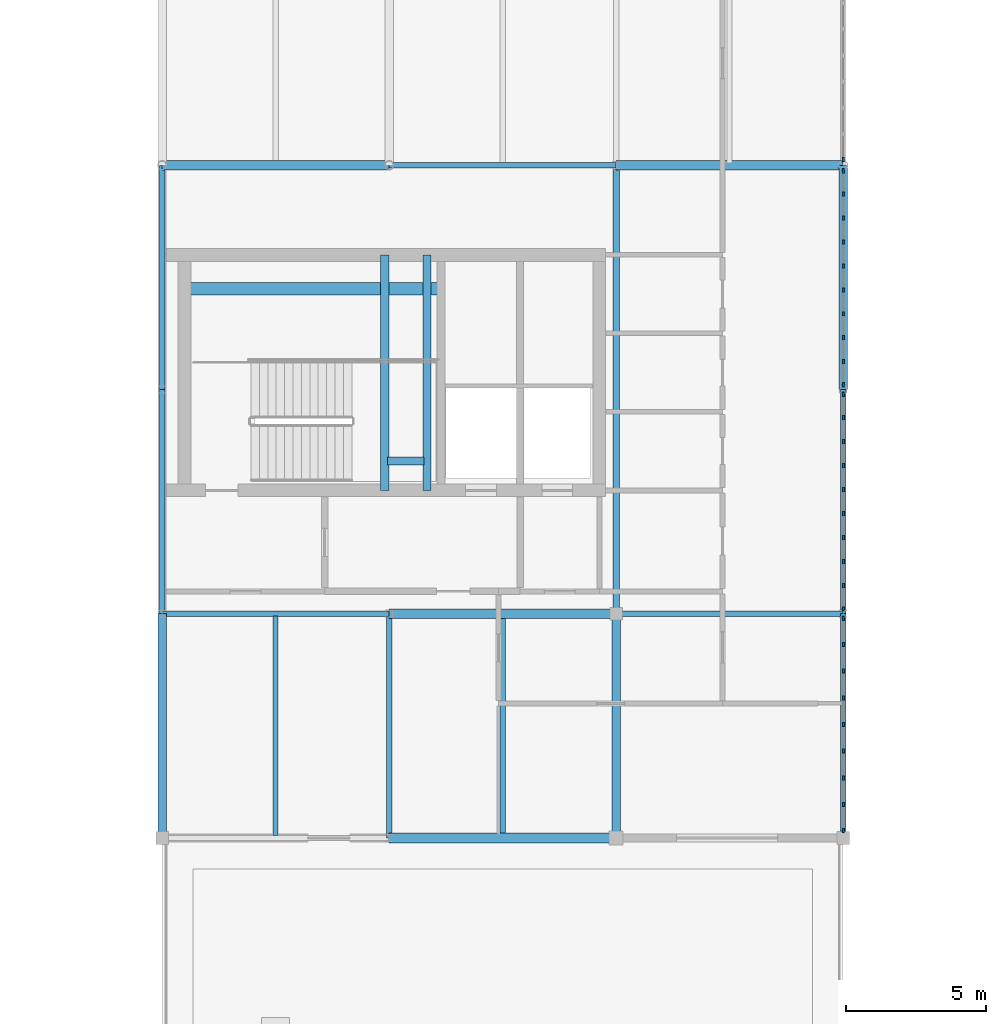
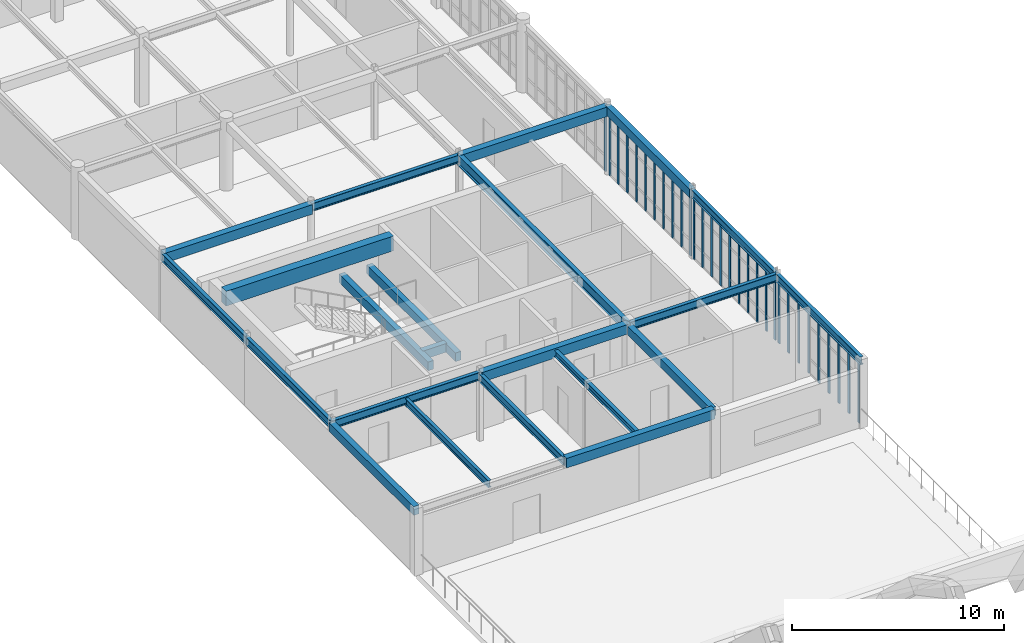
# One storey, part 7 of 36: 30 members, 22 beams, 4 elements without a shape of their own.
"""IFC4 building model written with IfcOpenShell, lengths in metres."""

from ifc_helpers import new_model, si_unit, direction, frame, origin, origin_2d, place, context, subcontext, project, spatial, rectangle, i_section, extrude, material, material_profile, profile_set, type_object, element, aggregate, save


model = new_model("IFC4")

# Units and contexts
model_context = context("Model", 3, precision=1e-05, world=origin(), true_north=direction((0.0, 1.0)))
body_context = subcontext(model_context, "Body", "Model", "MODEL_VIEW")
ifc_project = project(units=[si_unit("LENGTHUNIT", "METRE"), si_unit("AREAUNIT", "SQUARE_METRE"), si_unit("VOLUMEUNIT", "CUBIC_METRE"), si_unit("PLANEANGLEUNIT", "RADIAN"), si_unit("MASSUNIT", "GRAM", prefix="KILO")], contexts=[model_context])

# Site, building, storey
site_placement = place(None, origin())
site = spatial("IfcSite", under=ifc_project, at=site_placement, CompositionType="ELEMENT")
building_placement = place(site_placement, origin())
building = spatial("IfcBuilding", under=site, at=building_placement, Name="Tarnveldt Square Police Headquarters", CompositionType="ELEMENT")
storey_placement = place(building_placement, frame((0.0, 0.0, 24.89990234375)))
storey = spatial("IfcBuildingStorey", under=building, at=storey_placement, Name="L05", CompositionType="ELEMENT", Elevation=24.89990234375)

# Beams
ifc_material_1 = material(Name="Concrete 50 MPa", Category="concrete")
ifc_material_profile_1 = material_profile(ifc_material_1, rectangle(XDim=0.449951171875, YDim=0.85009765625, at=origin_2d()), Name="RC-CB450x850")
ifc_profile_set_1 = profile_set([ifc_material_profile_1], Name="Concrete 50 MPa")
beam_type_1 = type_object("IfcBeamType", Name="BM-CB450x850", PredefinedType="BEAM", material=ifc_profile_set_1)
beam_1_placement = place(storey_placement, frame((17.0, 67.60009765625, 3.775146484375), z_axis=(1.0, 0.0, 0.0), x_axis=(0.0, 1.0, 0.0)))
element("IfcBeam", 1, at=beam_1_placement, inside=storey, type_object=beam_type_1, Name="Core K1 South-West Command and Firefighting Core L05 Ductile Coupling Beam", PredefinedType="BEAM", context=body_context, shape_type="SweptSolid", body=[
    extrude(rectangle(XDim=0.449951171875, YDim=0.85009765625, at=origin_2d()), origin(), (0.0, 0.0, 1.0), 9.14990234375),
])
ifc_material_2 = material(Name="Concrete 40 MPa", Category="concrete")
ifc_material_profile_2 = material_profile(ifc_material_2, rectangle(XDim=0.300048828125, YDim=0.5, at=origin_2d()), Name="RC-B300x500")
ifc_profile_set_2 = profile_set([ifc_material_profile_2], Name="Concrete 40 MPa")
beam_type_2 = type_object("IfcBeamType", Name="BM-RC300x500", PredefinedType="BEAM", material=ifc_profile_set_2)
beam_2_placement = place(storey_placement, frame((24.14990234375, 60.39990234375, 1.650146484375), z_axis=(0.0, 1.0, 0.0), x_axis=(-1.0, 0.0, 0.0)))
element("IfcBeam", 2, at=beam_2_placement, inside=storey, type_object=beam_type_2, Name="ST1 L05 Half-Landing Support Beam 1", PredefinedType="BEAM", context=body_context, shape_type="SweptSolid", body=[
    extrude(rectangle(XDim=0.300048828125, YDim=0.5, at=origin_2d()), origin(), (0.0, 0.0, 1.0), 8.400146484375),
])
beam_3_placement = place(storey_placement, frame((24.25, 61.449951171875, 1.650146484375), z_axis=(1.0, 0.0, 0.0), x_axis=(0.0, 1.0, 0.0)))
element("IfcBeam", 3, at=beam_3_placement, inside=storey, type_object=beam_type_2, Name="ST1 L05 Half-Landing Support Beam 2", PredefinedType="BEAM", context=body_context, shape_type="SweptSolid", body=[
    extrude(rectangle(XDim=0.300048828125, YDim=0.5, at=origin_2d()), origin(), (0.0, 0.0, 1.0), 1.300048828125),
])
beam_4_placement = place(storey_placement, frame((25.64990234375, 60.39990234375, 1.650146484375), z_axis=(0.0, 1.0, 0.0), x_axis=(-1.0, 0.0, 0.0)))
element("IfcBeam", 4, at=beam_4_placement, inside=storey, type_object=beam_type_2, Name="ST1 L05 Half-Landing Transverse Support Beam", PredefinedType="BEAM", context=body_context, shape_type="SweptSolid", body=[
    extrude(rectangle(XDim=0.300048828125, YDim=0.5, at=origin_2d()), origin(), (0.0, 0.0, 1.0), 8.400146484375),
])
for number, where, z_axis, x_axis, name in (
    (5, (16.199951171875, 48.0, 3.610107421875), (0.0, 1.0, 0.0), (-1.0, 0.0, 0.0), "L06 Grid Girder Y-1045"),
    (6, (32.39990234375, 48.0, 3.610107421875), (0.0, 1.0, 0.0), (-1.0, 0.0, 0.0), "L06 Grid Girder Y-1057"),
    (7, (40.5, 64.0, 3.710205078125), (0.0, 1.0, 0.0), (-1.0, 0.0, 0.0), "L06 Grid Girder Y-1066"),
):
    element("IfcBeam", number, at=place(storey_placement, frame(where, z_axis=z_axis, x_axis=x_axis)), inside=storey, type_object=beam_type_2, Name=name, PredefinedType="BEAM", context=body_context, shape_type="SweptSolid", body=[
        extrude(rectangle(XDim=0.300048828125, YDim=0.5, at=origin_2d()), origin(), (0.0, 0.0, 1.0), 8.0),
    ])
ifc_material_profile_3 = material_profile(ifc_material_2, rectangle(XDim=0.35009765625, YDim=0.550048828125, at=origin_2d()), Name="RC-B350x550")
ifc_profile_set_3 = profile_set([ifc_material_profile_3], Name="Concrete 40 MPa")
beam_type_3 = type_object("IfcBeamType", Name="BM-RC350x550", PredefinedType="BEAM", material=ifc_profile_set_3)
for number, where, z_axis, x_axis, name in (
    (8, (24.300048828125, 48.0, 3.585205078125), (1.0, 0.0, 0.0), (0.0, 1.0, 0.0), "L06 Grid Girder X-1010"),
    (9, (24.300048828125, 56.0, 3.68505859375), (1.0, 0.0, 0.0), (0.0, 1.0, 0.0), "L06 Grid Girder X-1012"),
):
    element("IfcBeam", number, at=place(storey_placement, frame(where, z_axis=z_axis, x_axis=x_axis)), inside=storey, type_object=beam_type_3, Name=name, PredefinedType="BEAM", context=body_context, shape_type="SweptSolid", body=[
        extrude(rectangle(XDim=0.35009765625, YDim=0.550048828125, at=origin_2d()), origin(), (0.0, 0.0, 1.0), 8.099853515625),
    ])
for number, where, z_axis, x_axis, name in (
    (10, (16.199951171875, 72.0, 3.68505859375), (1.0, 0.0, 0.0), (0.0, 1.0, 0.0), "L06 Grid Girder X-1014"),
    (11, (32.39990234375, 72.0, 3.68505859375), (1.0, 0.0, 0.0), (0.0, 1.0, 0.0), "L06 Grid Girder X-1016"),
):
    element("IfcBeam", number, at=place(storey_placement, frame(where, z_axis=z_axis, x_axis=x_axis)), inside=storey, type_object=beam_type_3, Name=name, PredefinedType="BEAM", context=body_context, shape_type="SweptSolid", body=[
        extrude(rectangle(XDim=0.35009765625, YDim=0.550048828125, at=origin_2d()), origin(), (0.0, 0.0, 1.0), 8.10009765625),
    ])
ifc_material_3 = material(Name="Steel 350W", Category="steel")
ifc_material_profile_4 = material_profile(ifc_material_3, i_section(OverallWidth=0.205078125, OverallDepth=0.35400390625, WebThickness=0.009521484375, FlangeThickness=0.016845703125, FilletRadius=0.01611328125, at=origin_2d()), Name="W360x79")
ifc_profile_set_4 = profile_set([ifc_material_profile_4], Name="Steel 350W")
beam_type_4 = type_object("IfcBeamType", Name="BM-W360x79", PredefinedType="JOIST", material=ifc_profile_set_4)
beam_5_placement = place(storey_placement, frame((28.35009765625, 48.080078125, 3.68310546875), z_axis=(0.0, 1.0, 0.0), x_axis=(-1.0, 0.0, 0.0)))
element("IfcBeam", 12, at=beam_5_placement, inside=storey, type_object=beam_type_4, Name="L06 Secondary Floor Joist 0238", PredefinedType="JOIST", context=body_context, shape_type="SweptSolid", body=[
    extrude(i_section(OverallWidth=0.205078125, OverallDepth=0.35400390625, WebThickness=0.009521484375, FlangeThickness=0.016845703125, FilletRadius=0.01611328125, at=origin_2d()), origin(), (0.0, 0.0, 1.0), 7.83984375),
])
ifc_material_profile_5 = material_profile(ifc_material_3, i_section(OverallWidth=0.177978515625, OverallDepth=0.406982421875, WebThickness=0.0078125, FlangeThickness=0.0126953125, FilletRadius=0.01611328125, at=origin_2d()), Name="W410x60")
ifc_profile_set_5 = profile_set([ifc_material_profile_5], Name="Steel 350W")
beam_type_5 = type_object("IfcBeamType", Name="BM-W410x60", PredefinedType="JOIST", material=ifc_profile_set_5)
beam_6_placement = place(storey_placement, frame((20.25, 48.080078125, 3.656494140625), z_axis=(0.0, 1.0, 0.0), x_axis=(-1.0, 0.0, 0.0)))
element("IfcBeam", 13, at=beam_6_placement, inside=storey, type_object=beam_type_5, Name="L06 Secondary Floor Joist 0237", PredefinedType="JOIST", context=body_context, shape_type="SweptSolid", body=[
    extrude(i_section(OverallWidth=0.177978515625, OverallDepth=0.406982421875, WebThickness=0.0078125, FlangeThickness=0.0126953125, FilletRadius=0.01611328125, at=origin_2d()), origin(), (0.0, 0.0, 1.0), 7.83984375),
])
ifc_material_profile_6 = material_profile(ifc_material_3, i_section(OverallWidth=0.19189453125, OverallDepth=0.462890625, WebThickness=0.010498046875, FlangeThickness=0.017578125, FilletRadius=0.01806640625, at=origin_2d()), Name="W460x89")
ifc_profile_set_6 = profile_set([ifc_material_profile_6], Name="Steel 350W")
beam_type_6 = type_object("IfcBeamType", Name="BM-W460x89", PredefinedType="BEAM", material=ifc_profile_set_6)
for number, where, z_axis, x_axis, name in (
    (14, (16.199951171875, 56.0, 3.728515625), (1.0, 0.0, 0.0), (0.0, 1.0, 0.0), "L06 Grid Girder X-1011"),
    (15, (32.39990234375, 56.0, 3.728515625), (1.0, 0.0, 0.0), (0.0, 1.0, 0.0), "L06 Grid Girder X-1013"),
):
    element("IfcBeam", number, at=place(storey_placement, frame(where, z_axis=z_axis, x_axis=x_axis)), inside=storey, type_object=beam_type_6, Name=name, PredefinedType="BEAM", context=body_context, shape_type="SweptSolid", body=[
        extrude(i_section(OverallWidth=0.19189453125, OverallDepth=0.462890625, WebThickness=0.010498046875, FlangeThickness=0.017578125, FilletRadius=0.01806640625, at=origin_2d()), origin(), (0.0, 0.0, 1.0), 8.10009765625),
    ])
beam_7_placement = place(storey_placement, frame((24.300048828125, 72.0, 3.728515625), z_axis=(1.0, 0.0, 0.0), x_axis=(0.0, 1.0, 0.0)))
element("IfcBeam", 16, at=beam_7_placement, inside=storey, type_object=beam_type_6, Name="L06 Grid Girder X-1015", PredefinedType="BEAM", context=body_context, shape_type="SweptSolid", body=[
    extrude(i_section(OverallWidth=0.19189453125, OverallDepth=0.462890625, WebThickness=0.010498046875, FlangeThickness=0.017578125, FilletRadius=0.01806640625, at=origin_2d()), origin(), (0.0, 0.0, 1.0), 8.099853515625),
])
for number, where, z_axis, x_axis, name in (
    (17, (16.199951171875, 56.0, 3.728515625), (0.0, 1.0, 0.0), (-1.0, 0.0, 0.0), "L06 Grid Girder Y-1046"),
    (18, (16.199951171875, 64.0, 3.728515625), (0.0, 1.0, 0.0), (-1.0, 0.0, 0.0), "L06 Grid Girder Y-1047"),
    (19, (24.300048828125, 48.0, 3.628662109375), (0.0, 1.0, 0.0), (-1.0, 0.0, 0.0), "L06 Grid Girder Y-1053"),
    (20, (40.5, 48.0, 3.728515625), (0.0, 1.0, 0.0), (-1.0, 0.0, 0.0), "L06 Grid Girder Y-1064"),
    (21, (40.5, 56.0, 3.728515625), (0.0, 1.0, 0.0), (-1.0, 0.0, 0.0), "L06 Grid Girder Y-1065"),
):
    element("IfcBeam", number, at=place(storey_placement, frame(where, z_axis=z_axis, x_axis=x_axis)), inside=storey, type_object=beam_type_6, Name=name, PredefinedType="BEAM", context=body_context, shape_type="SweptSolid", body=[
        extrude(i_section(OverallWidth=0.19189453125, OverallDepth=0.462890625, WebThickness=0.010498046875, FlangeThickness=0.017578125, FilletRadius=0.01806640625, at=origin_2d()), origin(), (0.0, 0.0, 1.0), 8.0),
    ])
ifc_material_profile_7 = material_profile(ifc_material_3, i_section(OverallWidth=0.22900390625, OverallDepth=0.612060546875, WebThickness=0.011962890625, FlangeThickness=0.01953125, FilletRadius=0.01904296875, at=origin_2d()), Name="W610x125")
ifc_profile_set_7 = profile_set([ifc_material_profile_7], Name="Steel 350W")
beam_type_7 = type_object("IfcBeamType", Name="BM-W610x125", PredefinedType="BEAM", material=ifc_profile_set_7)
beam_8_placement = place(storey_placement, frame((32.39990234375, 56.0, 3.654052734375), z_axis=(0.0, 1.0, 0.0), x_axis=(-1.0, 0.0, 0.0)))
element("IfcBeam", 22, at=beam_8_placement, inside=storey, type_object=beam_type_7, Name="L06 Grid Girder Y-1058", PredefinedType="BEAM", context=body_context, shape_type="SweptSolid", body=[
    extrude(i_section(OverallWidth=0.22900390625, OverallDepth=0.612060546875, WebThickness=0.011962890625, FlangeThickness=0.01953125, FilletRadius=0.01904296875, at=origin_2d()), origin(), (0.0, 0.0, 1.0), 16.0),
])

# Curtain wall, members
ifc_material_4 = material(Name="Triple-glazed low-e laminated vision glass", Category="glass")
curtain_wall_type_1 = type_object("IfcCurtainWallType", Name="CW-UP-761x349", PredefinedType="USERDEFINED", material=ifc_material_4)
curtain_wall_1_placement = place(storey_placement, origin())
curtain_wall_1 = element("IfcCurtainWall", 23, at=curtain_wall_1_placement, inside=storey, type_object=curtain_wall_type_1, Name="L05 Curtain Wall CW-L05-083", ObjectType="GLAZED CURTAIN WALL", PredefinedType="USERDEFINED")
ifc_material_5 = material(Name="Thermally broken anodised aluminium 6063-T6", Category="aluminium")
ifc_material_profile_8 = material_profile(ifc_material_5, rectangle(XDim=0.06494140625, YDim=0.159912109375, at=origin_2d()), Name="CW-M65x160")
ifc_profile_set_8 = profile_set([ifc_material_profile_8], Name="Thermally broken anodised aluminium 6063-T6")
member_type = type_object("IfcMemberType", Name="CWM-65x160", PredefinedType="MULLION", material=ifc_profile_set_8)
member_1_placement = place(storey_placement, frame((40.5, 48.2724609375, 0.0), z_axis=(0.0, 0.0, 1.0), x_axis=(-1.0, 0.0, 0.0)))
member_1 = element("IfcMember", 24, at=member_1_placement, type_object=member_type, Name="CW-UP41 mullion 1", PredefinedType="MULLION", context=body_context, shape_type="SweptSolid", body=[
    extrude(rectangle(XDim=0.06494140625, YDim=0.159912109375, at=origin_2d()), origin(), (0.0, 0.0, 1.0), 3.489013671875),
])
member_2_placement = place(storey_placement, frame((40.5, 49.19189453125, 0.0), z_axis=(0.0, 0.0, 1.0), x_axis=(-1.0, 0.0, 0.0)))
member_2 = element("IfcMember", 25, at=member_2_placement, type_object=member_type, Name="CW-UP41 mullion 2", PredefinedType="MULLION", context=body_context, shape_type="SweptSolid", body=[
    extrude(rectangle(XDim=0.06494140625, YDim=0.159912109375, at=origin_2d()), origin(), (0.0, 0.0, 1.0), 3.489013671875),
])
member_3_placement = place(storey_placement, frame((40.5, 50.143798828125, 0.0), z_axis=(0.0, 0.0, 1.0), x_axis=(-1.0, 0.0, 0.0)))
member_3 = element("IfcMember", 26, at=member_3_placement, type_object=member_type, Name="CW-UP41 mullion 3", PredefinedType="MULLION", context=body_context, shape_type="SweptSolid", body=[
    extrude(rectangle(XDim=0.06494140625, YDim=0.159912109375, at=origin_2d()), origin(), (0.0, 0.0, 1.0), 3.489013671875),
])
member_4_placement = place(storey_placement, frame((40.5, 51.095703125, 0.0), z_axis=(0.0, 0.0, 1.0), x_axis=(-1.0, 0.0, 0.0)))
member_4 = element("IfcMember", 27, at=member_4_placement, type_object=member_type, Name="CW-UP41 mullion 4", PredefinedType="MULLION", context=body_context, shape_type="SweptSolid", body=[
    extrude(rectangle(XDim=0.06494140625, YDim=0.159912109375, at=origin_2d()), origin(), (0.0, 0.0, 1.0), 3.489013671875),
])
member_5_placement = place(storey_placement, frame((40.5, 52.047607421875, 0.0), z_axis=(0.0, 0.0, 1.0), x_axis=(-1.0, 0.0, 0.0)))
member_5 = element("IfcMember", 28, at=member_5_placement, type_object=member_type, Name="CW-UP41 mullion 5", PredefinedType="MULLION", context=body_context, shape_type="SweptSolid", body=[
    extrude(rectangle(XDim=0.06494140625, YDim=0.159912109375, at=origin_2d()), origin(), (0.0, 0.0, 1.0), 3.489013671875),
])
member_6_placement = place(storey_placement, frame((40.5, 52.999267578125, 0.0), z_axis=(0.0, 0.0, 1.0), x_axis=(-1.0, 0.0, 0.0)))
member_6 = element("IfcMember", 29, at=member_6_placement, type_object=member_type, Name="CW-UP41 mullion 6", PredefinedType="MULLION", context=body_context, shape_type="SweptSolid", body=[
    extrude(rectangle(XDim=0.06494140625, YDim=0.159912109375, at=origin_2d()), origin(), (0.0, 0.0, 1.0), 3.489013671875),
])
member_7_placement = place(storey_placement, frame((40.5, 53.951171875, 0.0), z_axis=(0.0, 0.0, 1.0), x_axis=(-1.0, 0.0, 0.0)))
member_7 = element("IfcMember", 30, at=member_7_placement, type_object=member_type, Name="CW-UP41 mullion 7", PredefinedType="MULLION", context=body_context, shape_type="SweptSolid", body=[
    extrude(rectangle(XDim=0.06494140625, YDim=0.159912109375, at=origin_2d()), origin(), (0.0, 0.0, 1.0), 3.489013671875),
])
member_8_placement = place(storey_placement, frame((40.5, 54.903076171875, 0.0), z_axis=(0.0, 0.0, 1.0), x_axis=(-1.0, 0.0, 0.0)))
member_8 = element("IfcMember", 31, at=member_8_placement, type_object=member_type, Name="CW-UP41 mullion 8", PredefinedType="MULLION", context=body_context, shape_type="SweptSolid", body=[
    extrude(rectangle(XDim=0.06494140625, YDim=0.159912109375, at=origin_2d()), origin(), (0.0, 0.0, 1.0), 3.489013671875),
])
member_9_placement = place(storey_placement, frame((40.5, 55.822509765625, 0.0), z_axis=(0.0, 0.0, 1.0), x_axis=(-1.0, 0.0, 0.0)))
member_9 = element("IfcMember", 32, at=member_9_placement, type_object=member_type, Name="CW-UP41 mullion 9", PredefinedType="MULLION", context=body_context, shape_type="SweptSolid", body=[
    extrude(rectangle(XDim=0.06494140625, YDim=0.159912109375, at=origin_2d()), origin(), (0.0, 0.0, 1.0), 3.489013671875),
])
aggregate(curtain_wall_1, [member_1, member_2, member_3, member_4, member_5, member_6, member_7, member_8, member_9])

curtain_wall_type_2 = type_object("IfcCurtainWallType", Name="CW-UP-771x349", PredefinedType="USERDEFINED", material=ifc_material_4)
curtain_wall_2_placement = place(storey_placement, origin())
curtain_wall_2 = element("IfcCurtainWall", 33, at=curtain_wall_2_placement, inside=storey, type_object=curtain_wall_type_2, Name="L05 Curtain Wall CW-L05-084", ObjectType="GLAZED CURTAIN WALL", PredefinedType="USERDEFINED")
member_10_placement = place(storey_placement, frame((40.5, 56.177490234375, 0.0), z_axis=(0.0, 0.0, 1.0), x_axis=(-1.0, 0.0, 0.0)))
member_10 = element("IfcMember", 34, at=member_10_placement, type_object=member_type, Name="CW-UP42 mullion 1", PredefinedType="MULLION", context=body_context, shape_type="SweptSolid", body=[
    extrude(rectangle(XDim=0.06494140625, YDim=0.159912109375, at=origin_2d()), origin(), (0.0, 0.0, 1.0), 3.489013671875),
])
member_11_placement = place(storey_placement, frame((40.5, 57.001953125, 0.0), z_axis=(0.0, 0.0, 1.0), x_axis=(-1.0, 0.0, 0.0)))
member_11 = element("IfcMember", 35, at=member_11_placement, type_object=member_type, Name="CW-UP42 mullion 2", PredefinedType="MULLION", context=body_context, shape_type="SweptSolid", body=[
    extrude(rectangle(XDim=0.06494140625, YDim=0.159912109375, at=origin_2d()), origin(), (0.0, 0.0, 1.0), 3.489013671875),
])
member_12_placement = place(storey_placement, frame((40.5, 57.85888671875, 0.0), z_axis=(0.0, 0.0, 1.0), x_axis=(-1.0, 0.0, 0.0)))
member_12 = element("IfcMember", 36, at=member_12_placement, type_object=member_type, Name="CW-UP42 mullion 3", PredefinedType="MULLION", context=body_context, shape_type="SweptSolid", body=[
    extrude(rectangle(XDim=0.06494140625, YDim=0.159912109375, at=origin_2d()), origin(), (0.0, 0.0, 1.0), 3.489013671875),
])
member_13_placement = place(storey_placement, frame((40.5, 58.716064453125, 0.0), z_axis=(0.0, 0.0, 1.0), x_axis=(-1.0, 0.0, 0.0)))
member_13 = element("IfcMember", 37, at=member_13_placement, type_object=member_type, Name="CW-UP42 mullion 4", PredefinedType="MULLION", context=body_context, shape_type="SweptSolid", body=[
    extrude(rectangle(XDim=0.06494140625, YDim=0.159912109375, at=origin_2d()), origin(), (0.0, 0.0, 1.0), 3.489013671875),
])
member_14_placement = place(storey_placement, frame((40.5, 59.572998046875, 0.0), z_axis=(0.0, 0.0, 1.0), x_axis=(-1.0, 0.0, 0.0)))
member_14 = element("IfcMember", 38, at=member_14_placement, type_object=member_type, Name="CW-UP42 mullion 5", PredefinedType="MULLION", context=body_context, shape_type="SweptSolid", body=[
    extrude(rectangle(XDim=0.06494140625, YDim=0.159912109375, at=origin_2d()), origin(), (0.0, 0.0, 1.0), 3.489013671875),
])
member_15_placement = place(storey_placement, frame((40.5, 60.429931640625, 0.0), z_axis=(0.0, 0.0, 1.0), x_axis=(-1.0, 0.0, 0.0)))
member_15 = element("IfcMember", 39, at=member_15_placement, type_object=member_type, Name="CW-UP42 mullion 6", PredefinedType="MULLION", context=body_context, shape_type="SweptSolid", body=[
    extrude(rectangle(XDim=0.06494140625, YDim=0.159912109375, at=origin_2d()), origin(), (0.0, 0.0, 1.0), 3.489013671875),
])
member_16_placement = place(storey_placement, frame((40.5, 61.287109375, 0.0), z_axis=(0.0, 0.0, 1.0), x_axis=(-1.0, 0.0, 0.0)))
member_16 = element("IfcMember", 40, at=member_16_placement, type_object=member_type, Name="CW-UP42 mullion 7", PredefinedType="MULLION", context=body_context, shape_type="SweptSolid", body=[
    extrude(rectangle(XDim=0.06494140625, YDim=0.159912109375, at=origin_2d()), origin(), (0.0, 0.0, 1.0), 3.489013671875),
])
member_17_placement = place(storey_placement, frame((40.5, 62.14404296875, 0.0), z_axis=(0.0, 0.0, 1.0), x_axis=(-1.0, 0.0, 0.0)))
member_17 = element("IfcMember", 41, at=member_17_placement, type_object=member_type, Name="CW-UP42 mullion 8", PredefinedType="MULLION", context=body_context, shape_type="SweptSolid", body=[
    extrude(rectangle(XDim=0.06494140625, YDim=0.159912109375, at=origin_2d()), origin(), (0.0, 0.0, 1.0), 3.489013671875),
])
member_18_placement = place(storey_placement, frame((40.5, 63.0009765625, 0.0), z_axis=(0.0, 0.0, 1.0), x_axis=(-1.0, 0.0, 0.0)))
member_18 = element("IfcMember", 42, at=member_18_placement, type_object=member_type, Name="CW-UP42 mullion 9", PredefinedType="MULLION", context=body_context, shape_type="SweptSolid", body=[
    extrude(rectangle(XDim=0.06494140625, YDim=0.159912109375, at=origin_2d()), origin(), (0.0, 0.0, 1.0), 3.489013671875),
])
member_19_placement = place(storey_placement, frame((40.5, 63.825439453125, 0.0), z_axis=(0.0, 0.0, 1.0), x_axis=(-1.0, 0.0, 0.0)))
member_19 = element("IfcMember", 43, at=member_19_placement, type_object=member_type, Name="CW-UP42 mullion 10", PredefinedType="MULLION", context=body_context, shape_type="SweptSolid", body=[
    extrude(rectangle(XDim=0.06494140625, YDim=0.159912109375, at=origin_2d()), origin(), (0.0, 0.0, 1.0), 3.489013671875),
])
aggregate(curtain_wall_2, [member_10, member_11, member_12, member_13, member_14, member_15, member_16, member_17, member_18, member_19])

curtain_wall_type_3 = type_object("IfcCurtainWallType", Name="CW-UP-768x345", PredefinedType="USERDEFINED", material=ifc_material_4)
curtain_wall_3_placement = place(storey_placement, origin())
curtain_wall_3 = element("IfcCurtainWall", 44, at=curtain_wall_3_placement, inside=storey, type_object=curtain_wall_type_3, Name="L05 Curtain Wall CW-L05-085", ObjectType="GLAZED CURTAIN WALL", PredefinedType="USERDEFINED")
member_20_placement = place(storey_placement, frame((40.5, 64.174560546875, 0.0), z_axis=(0.0, 0.0, 1.0), x_axis=(-1.0, 0.0, 0.0)))
member_20 = element("IfcMember", 45, at=member_20_placement, type_object=member_type, Name="CW-UP43 mullion 1", PredefinedType="MULLION", context=body_context, shape_type="SweptSolid", body=[
    extrude(rectangle(XDim=0.06494140625, YDim=0.159912109375, at=origin_2d()), origin(), (0.0, 0.0, 1.0), 3.4521484375),
])
member_21_placement = place(storey_placement, frame((40.5, 64.995361328125, 0.0), z_axis=(0.0, 0.0, 1.0), x_axis=(-1.0, 0.0, 0.0)))
member_21 = element("IfcMember", 46, at=member_21_placement, type_object=member_type, Name="CW-UP43 mullion 2", PredefinedType="MULLION", context=body_context, shape_type="SweptSolid", body=[
    extrude(rectangle(XDim=0.06494140625, YDim=0.159912109375, at=origin_2d()), origin(), (0.0, 0.0, 1.0), 3.4521484375),
])
member_22_placement = place(storey_placement, frame((40.5, 65.848876953125, 0.0), z_axis=(0.0, 0.0, 1.0), x_axis=(-1.0, 0.0, 0.0)))
member_22 = element("IfcMember", 47, at=member_22_placement, type_object=member_type, Name="CW-UP43 mullion 3", PredefinedType="MULLION", context=body_context, shape_type="SweptSolid", body=[
    extrude(rectangle(XDim=0.06494140625, YDim=0.159912109375, at=origin_2d()), origin(), (0.0, 0.0, 1.0), 3.4521484375),
])
member_23_placement = place(storey_placement, frame((40.5, 66.702392578125, 0.0), z_axis=(0.0, 0.0, 1.0), x_axis=(-1.0, 0.0, 0.0)))
member_23 = element("IfcMember", 48, at=member_23_placement, type_object=member_type, Name="CW-UP43 mullion 4", PredefinedType="MULLION", context=body_context, shape_type="SweptSolid", body=[
    extrude(rectangle(XDim=0.06494140625, YDim=0.159912109375, at=origin_2d()), origin(), (0.0, 0.0, 1.0), 3.4521484375),
])
member_24_placement = place(storey_placement, frame((40.5, 67.5556640625, 0.0), z_axis=(0.0, 0.0, 1.0), x_axis=(-1.0, 0.0, 0.0)))
member_24 = element("IfcMember", 49, at=member_24_placement, type_object=member_type, Name="CW-UP43 mullion 5", PredefinedType="MULLION", context=body_context, shape_type="SweptSolid", body=[
    extrude(rectangle(XDim=0.06494140625, YDim=0.159912109375, at=origin_2d()), origin(), (0.0, 0.0, 1.0), 3.4521484375),
])
member_25_placement = place(storey_placement, frame((40.5, 68.4091796875, 0.0), z_axis=(0.0, 0.0, 1.0), x_axis=(-1.0, 0.0, 0.0)))
member_25 = element("IfcMember", 50, at=member_25_placement, type_object=member_type, Name="CW-UP43 mullion 6", PredefinedType="MULLION", context=body_context, shape_type="SweptSolid", body=[
    extrude(rectangle(XDim=0.06494140625, YDim=0.159912109375, at=origin_2d()), origin(), (0.0, 0.0, 1.0), 3.4521484375),
])
member_26_placement = place(storey_placement, frame((40.5, 69.2626953125, 0.0), z_axis=(0.0, 0.0, 1.0), x_axis=(-1.0, 0.0, 0.0)))
member_26 = element("IfcMember", 51, at=member_26_placement, type_object=member_type, Name="CW-UP43 mullion 7", PredefinedType="MULLION", context=body_context, shape_type="SweptSolid", body=[
    extrude(rectangle(XDim=0.06494140625, YDim=0.159912109375, at=origin_2d()), origin(), (0.0, 0.0, 1.0), 3.4521484375),
])
member_27_placement = place(storey_placement, frame((40.5, 70.1162109375, 0.0), z_axis=(0.0, 0.0, 1.0), x_axis=(-1.0, 0.0, 0.0)))
member_27 = element("IfcMember", 52, at=member_27_placement, type_object=member_type, Name="CW-UP43 mullion 8", PredefinedType="MULLION", context=body_context, shape_type="SweptSolid", body=[
    extrude(rectangle(XDim=0.06494140625, YDim=0.159912109375, at=origin_2d()), origin(), (0.0, 0.0, 1.0), 3.4521484375),
])
member_28_placement = place(storey_placement, frame((40.5, 70.969482421875, 0.0), z_axis=(0.0, 0.0, 1.0), x_axis=(-1.0, 0.0, 0.0)))
member_28 = element("IfcMember", 53, at=member_28_placement, type_object=member_type, Name="CW-UP43 mullion 9", PredefinedType="MULLION", context=body_context, shape_type="SweptSolid", body=[
    extrude(rectangle(XDim=0.06494140625, YDim=0.159912109375, at=origin_2d()), origin(), (0.0, 0.0, 1.0), 3.4521484375),
])
member_29_placement = place(storey_placement, frame((40.5, 71.79052734375, 0.0), z_axis=(0.0, 0.0, 1.0), x_axis=(-1.0, 0.0, 0.0)))
member_29 = element("IfcMember", 54, at=member_29_placement, type_object=member_type, Name="CW-UP43 mullion 10", PredefinedType="MULLION", context=body_context, shape_type="SweptSolid", body=[
    extrude(rectangle(XDim=0.06494140625, YDim=0.159912109375, at=origin_2d()), origin(), (0.0, 0.0, 1.0), 3.4521484375),
])
aggregate(curtain_wall_3, [member_20, member_21, member_22, member_23, member_24, member_25, member_26, member_27, member_28, member_29])

# Curtain wall, member
curtain_wall_type_4 = type_object("IfcCurtainWallType", Name="CW-UP-748x349", PredefinedType="USERDEFINED", material=ifc_material_4)
curtain_wall_4_placement = place(storey_placement, origin())
curtain_wall_4 = element("IfcCurtainWall", 55, at=curtain_wall_4_placement, inside=storey, type_object=curtain_wall_type_4, Name="L05 Curtain Wall CW-L05-086", ObjectType="GLAZED CURTAIN WALL", PredefinedType="USERDEFINED")
member_30_placement = place(storey_placement, frame((40.5, 72.20947265625, 0.0), z_axis=(0.0, 0.0, 1.0), x_axis=(-1.0, 0.0, 0.0)))
member_30 = element("IfcMember", 56, at=member_30_placement, type_object=member_type, Name="CW-UP44 mullion 1", PredefinedType="MULLION", context=body_context, shape_type="SweptSolid", body=[
    extrude(rectangle(XDim=0.06494140625, YDim=0.159912109375, at=origin_2d()), origin(), (0.0, 0.0, 1.0), 3.489013671875),
])
aggregate(curtain_wall_4, [member_30])

save(model, "model.ifc")
